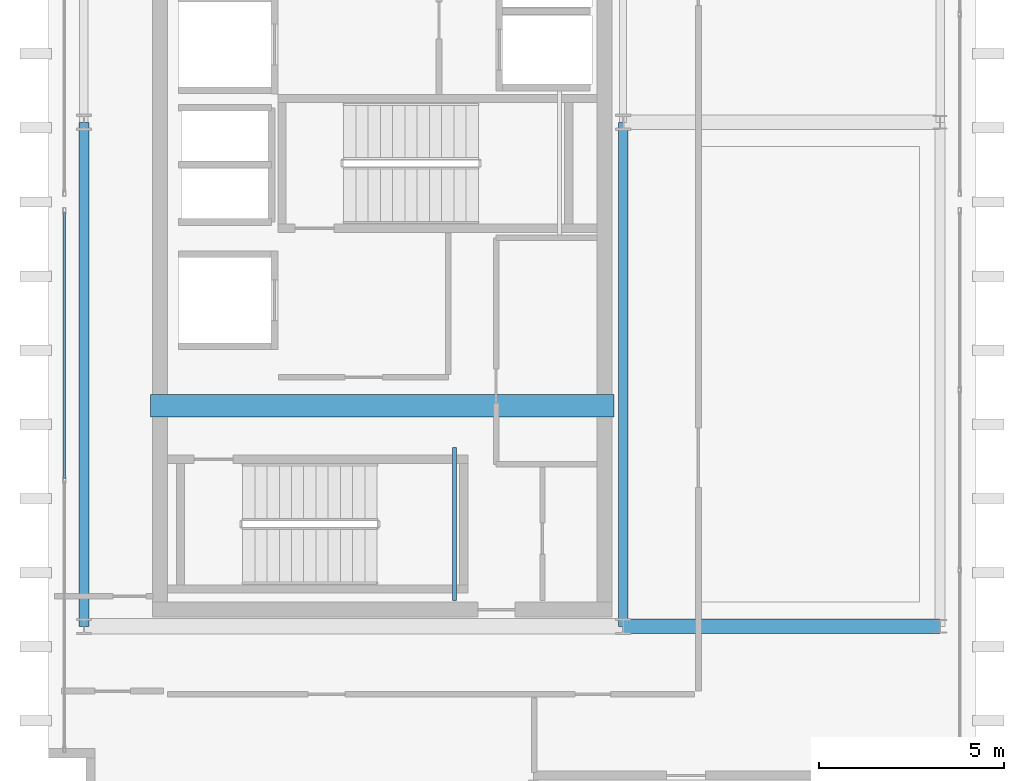
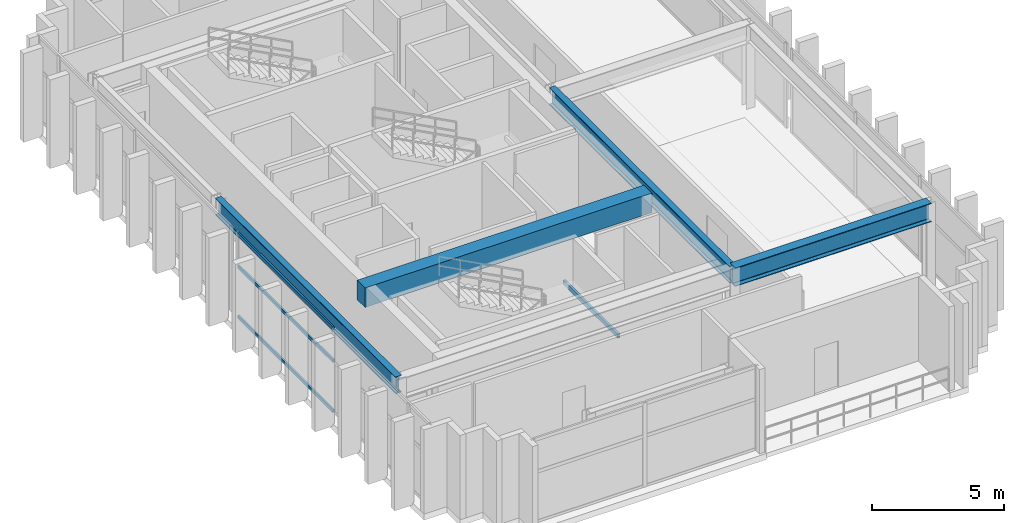
# One storey, part 3 of 15: 5 beams, 3 members, 1 element without a shape of its own.
"""IFC4 building model written with IfcOpenShell, lengths in metres."""

import ifcopenshell
import ifcopenshell.guid

model = None  # the IFC model being written
_history = None  # IfcOwnerHistory: only IFC2X3 demands one
_inside = {}  # id of a spatial element -> (the spatial element, [elements in it])
_under = {}  # id of a project, library or spatial element -> (it, [spatial elements below it])
_declared = {}  # id of a project -> (the project, [libraries it declares])
_typed = {}  # id of a type object -> (the type object, [elements of that type])
_made_of = {}  # id of a material, layer set ... -> (it, [elements and type objects made of it])


def new_model(schema):
    """Start an empty IFC model of exactly this schema.

    Asked for "IFC4X3", IfcOpenShell would pick the latest addendum, in which some entities
    have other attributes; the version numbers below select the first issue.
    IFC2X3 requires an IfcOwnerHistory on every rooted entity: one is made here for all.
    """
    global model, _history
    if schema == "IFC4X3":
        model = ifcopenshell.file(schema_version=(4, 3, 0, 0))
    else:
        model = ifcopenshell.file(schema=schema)
    _inside.clear()
    _under.clear()
    _declared.clear()
    _typed.clear()
    _made_of.clear()
    _history = None
    if model.schema == "IFC2X3":
        org = make("IfcOrganization", Name="unknown")
        user = make(
            "IfcPersonAndOrganization",
            ThePerson=make("IfcPerson", FamilyName="unknown"),
            TheOrganization=org,
        )
        app = make(
            "IfcApplication",
            ApplicationDeveloper=org,
            Version="unknown",
            ApplicationFullName="unknown",
            ApplicationIdentifier="unknown",
        )
        _history = make(
            "IfcOwnerHistory",
            OwningUser=user,
            OwningApplication=app,
            ChangeAction="ADDED",
            CreationDate=0,
        )
    return model


def make(cls, **values):
    """One entity of the class cls with the attributes given. An attribute that is None is left unset."""
    return model.create_entity(
        cls, **{name: value for name, value in values.items() if value is not None}
    )


def rooted(cls, **values):
    """An entity with a GlobalId (a new one), such as an element, a storey or a relation."""
    return make(cls, GlobalId=ifcopenshell.guid.new(), OwnerHistory=_history, **values)


def si_unit(unit_type, name, prefix=None):
    """IfcSIUnit, for example si_unit("LENGTHUNIT", "METRE", prefix="MILLI")."""
    return make("IfcSIUnit", UnitType=unit_type, Prefix=prefix, Name=name)


def assignment(units):
    """IfcUnitAssignment: the units of a project."""
    return None if units is None else make("IfcUnitAssignment", Units=units)


def point(xyz):
    """IfcCartesianPoint."""
    return None if xyz is None else make("IfcCartesianPoint", Coordinates=xyz)


def direction(xyz):
    """IfcDirection."""
    return None if xyz is None else make("IfcDirection", DirectionRatios=xyz)


def frame(location, z_axis=None, x_axis=None):
    """IfcAxis2Placement3D, a coordinate frame: its origin and axes. An axis left out is left unset."""
    return make(
        "IfcAxis2Placement3D",
        Location=point(location),
        Axis=direction(z_axis),
        RefDirection=direction(x_axis),
    )


def frame_2d(location, x_axis=None):
    """IfcAxis2Placement2D, a coordinate frame in the plane: its origin and x axis."""
    return make(
        "IfcAxis2Placement2D", Location=point(location), RefDirection=direction(x_axis)
    )


def origin():
    """The frame at (0, 0, 0) with its axes left unset."""
    return frame((0.0, 0.0, 0.0))


def origin_2d():
    """The frame at (0, 0) in the plane with its x axis left unset."""
    return frame_2d((0.0, 0.0))


def place(relative_to, where):
    """IfcLocalPlacement: puts the frame where relative to a parent placement (None: the world)."""
    return make(
        "IfcLocalPlacement", PlacementRelTo=relative_to, RelativePlacement=where
    )


def context(
    kind, dimensions, precision=None, world=None, true_north=None, identifier=None
):
    """IfcGeometricRepresentationContext, for example the 3D "Model" context."""
    return make(
        "IfcGeometricRepresentationContext",
        ContextIdentifier=identifier,
        ContextType=kind,
        CoordinateSpaceDimension=dimensions,
        Precision=precision,
        WorldCoordinateSystem=world,
        TrueNorth=true_north,
    )


def subcontext(parent, identifier, kind, view, scale=None):
    """IfcGeometricRepresentationSubContext, for example "Body" below "Model"."""
    return make(
        "IfcGeometricRepresentationSubContext",
        ContextIdentifier=identifier,
        ContextType=kind,
        ParentContext=parent,
        TargetScale=scale,
        TargetView=view,
    )


def project(units=None, contexts=None):
    """IfcProject with its units and contexts."""
    return rooted(
        "IfcProject",
        Name="project",
        RepresentationContexts=contexts,
        UnitsInContext=assignment(units),
    )


def spatial(cls, under=None, at=None, **own):
    """A site, building, storey or space (cls), placed at a placement, below another one or the project."""
    s = rooted(cls, ObjectPlacement=at, **own)
    if under is not None:
        _under.setdefault(under.id(), (under, []))[1].append(s)
    return s


def profile(cls, at=None, kind="AREA", **sizes):
    """A parametric profile (cls). Its sizes go by their IFC names, for example OverallWidth=200.0."""
    return make(cls, ProfileType=kind, Position=at, **sizes)


def rectangle(**sizes):
    """IfcRectangleProfileDef."""
    return profile("IfcRectangleProfileDef", **sizes)


def hollow_rectangle(**sizes):
    """IfcRectangleHollowProfileDef."""
    return profile("IfcRectangleHollowProfileDef", **sizes)


def i_section(**sizes):
    """IfcIShapeProfileDef."""
    return profile("IfcIShapeProfileDef", **sizes)


def extrude(swept, where, along, depth):
    """IfcExtrudedAreaSolid: the profile swept, set in the frame where, extruded along a direction by depth."""
    return make(
        "IfcExtrudedAreaSolid",
        SweptArea=swept,
        Position=where,
        ExtrudedDirection=direction(along),
        Depth=depth,
    )


def shape(context_of_items, identifier, shape_type, items):
    """IfcShapeRepresentation: the items that make up one representation, for example the "Body"."""
    return make(
        "IfcShapeRepresentation",
        ContextOfItems=context_of_items,
        RepresentationIdentifier=identifier,
        RepresentationType=shape_type,
        Items=items,
    )


def source(mapping_origin, context_of_items, identifier, shape_type, items):
    """IfcRepresentationMap: a shape defined once, which mapped items show again and again."""
    return make(
        "IfcRepresentationMap",
        MappingOrigin=mapping_origin,
        MappedRepresentation=shape(context_of_items, identifier, shape_type, items),
    )


def transform(
    local_origin,
    x_axis=None,
    y_axis=None,
    z_axis=None,
    scale=None,
    scale2=None,
    scale3=None,
    uniform=True,
):
    """IfcCartesianTransformationOperator3D, or its non-uniform kind. x_axis, y_axis, z_axis: its Axis1, 2, 3."""
    if uniform:
        return make(
            "IfcCartesianTransformationOperator3D",
            Axis1=direction(x_axis),
            Axis2=direction(y_axis),
            LocalOrigin=point(local_origin),
            Scale=scale,
            Axis3=direction(z_axis),
        )
    return make(
        "IfcCartesianTransformationOperator3DnonUniform",
        Axis1=direction(x_axis),
        Axis2=direction(y_axis),
        LocalOrigin=point(local_origin),
        Scale=scale,
        Axis3=direction(z_axis),
        Scale2=scale2,
        Scale3=scale3,
    )


def mapped(mapping_source, mapping_target):
    """IfcMappedItem: shows the shape of a source again, moved by a transform."""
    return make(
        "IfcMappedItem", MappingSource=mapping_source, MappingTarget=mapping_target
    )


def material(Name=None, Category=None):
    """IfcMaterial."""
    return make("IfcMaterial", Name=Name, Category=Category)


def layer(
    of_material, thickness, ventilated=None, Name=None, Category=None, Priority=None
):
    """IfcMaterialLayer: one layer of a wall or slab, of a material (None: an air gap)."""
    return make(
        "IfcMaterialLayer",
        Material=of_material,
        LayerThickness=thickness,
        IsVentilated=ventilated,
        Name=Name,
        Category=Category,
        Priority=Priority,
    )


def layer_set(layers, Name=None):
    """IfcMaterialLayerSet."""
    return make("IfcMaterialLayerSet", MaterialLayers=layers, LayerSetName=Name)


def material_profile(
    of_material, cross_section, Name=None, Category=None, Priority=None
):
    """IfcMaterialProfile: a cross section and its material."""
    return make(
        "IfcMaterialProfile",
        Name=Name,
        Material=of_material,
        Profile=cross_section,
        Priority=Priority,
        Category=Category,
    )


def profile_set(profiles, Name=None, composite=None):
    """IfcMaterialProfileSet."""
    return make(
        "IfcMaterialProfileSet",
        Name=Name,
        MaterialProfiles=profiles,
        CompositeProfile=composite,
    )


def made_of(thing, what):
    """Note that an element or type object is made of a material, layer set ...; save() writes the relation."""
    if what is not None:
        _made_of.setdefault(what.id(), (what, []))[1].append(thing)
    return thing


def type_object(cls, material=None, **own):
    """A type object (cls), such as IfcWallType, which elements share."""
    return made_of(rooted(cls, **own), material)


def element(
    cls,
    number,
    at=None,
    inside=None,
    cuts=None,
    type_object=None,
    material=None,
    context=None,
    identifier="Body",
    shape_type=None,
    held_by="IfcProductDefinitionShape",
    body=None,
    shapes=None,
    **own,
):
    """One element of the class cls, such as IfcWall. Its Tag is "e" and its number.

    at: its placement. inside: the storey or other place that contains it. cuts: it is an
    opening in that element (IfcRelVoidsElement). A single representation is given by context,
    identifier, shape_type and body (its items); several are given by shapes. held_by: the class
    of the entity that holds the representations. save() writes the other relations.
    """
    e = rooted(cls, Tag="e%d" % number, ObjectPlacement=at, **own)
    if body is not None:
        shapes = [shape(context, identifier, shape_type, body)]
    if shapes is not None:
        e.Representation = make(held_by, Representations=shapes)
    if inside is not None:
        _inside.setdefault(inside.id(), (inside, []))[1].append(e)
    if cuts is not None:
        rooted(
            "IfcRelVoidsElement", RelatingBuildingElement=cuts, RelatedOpeningElement=e
        )
    if type_object is not None:
        _typed.setdefault(type_object.id(), (type_object, []))[1].append(e)
    return made_of(e, material)


def aggregate(whole, parts):
    """IfcRelAggregates: a whole, such as a stair, and the parts it consists of."""
    return rooted("IfcRelAggregates", RelatingObject=whole, RelatedObjects=parts)


def save(model, path):
    """Write the relations noted so far, then the file.

    IfcRelAggregates (storeys below a building ...), IfcRelContainedInSpatialStructure (elements
    in a storey), IfcRelDefinesByType, IfcRelAssociatesMaterial and IfcRelDeclares: one each for
    every whole, place, type object, material and project.
    """
    for whole, parts in _under.values():
        aggregate(whole, parts)
    for where, things in _inside.values():
        rooted(
            "IfcRelContainedInSpatialStructure",
            RelatedElements=things,
            RelatingStructure=where,
        )
    for kind, things in _typed.values():
        rooted("IfcRelDefinesByType", RelatedObjects=things, RelatingType=kind)
    for what, things in _made_of.values():
        rooted("IfcRelAssociatesMaterial", RelatedObjects=things, RelatingMaterial=what)
    for by, libraries in _declared.values():
        rooted("IfcRelDeclares", RelatingContext=by, RelatedDefinitions=libraries)
    model.write(path)


model = new_model("IFC4")

# Units and contexts
model_context = context("Model", 3, precision=1e-05, world=origin(), true_north=direction((0.0, 1.0)))
body_context = subcontext(model_context, "Body", "Model", "MODEL_VIEW")
ifc_project = project(units=[si_unit("LENGTHUNIT", "METRE"), si_unit("AREAUNIT", "SQUARE_METRE"), si_unit("VOLUMEUNIT", "CUBIC_METRE"), si_unit("PLANEANGLEUNIT", "RADIAN"), si_unit("MASSUNIT", "GRAM", prefix="KILO")], contexts=[model_context])

# Site, building, storey
site_placement = place(None, origin())
site = spatial("IfcSite", under=ifc_project, at=site_placement, CompositionType="ELEMENT")
building_placement = place(site_placement, origin())
building = spatial("IfcBuilding", under=site, at=building_placement, Name="Ocotamira Hotel", CompositionType="ELEMENT")
storey_placement = place(building_placement, frame((0.0, 0.0, 305.39990234375)))
storey = spatial("IfcBuildingStorey", under=building, at=storey_placement, Name="L78", CompositionType="ELEMENT", Elevation=305.39990234375)

# Beams
ifc_material_1 = material(Name="Concrete C50/60", Category="concrete")
ifc_material_profile_1 = material_profile(ifc_material_1, rectangle(XDim=0.60009765625, YDim=0.89990234375, at=origin_2d()), Name="RC600X900")
ifc_profile_set_1 = profile_set([ifc_material_profile_1], Name="Concrete C50/60")
beam_type_1 = type_object("IfcBeamType", Name="BM-LINK-RC600", PredefinedType="LINTEL", material=ifc_profile_set_1)
shared_shape_1 = source(origin(), body_context, "Body", "SweptSolid", [
    extrude(rectangle(XDim=0.60009765625, YDim=0.89990234375, at=origin_2d()), origin(), (0.0, 0.0, 1.0), 12.5),
])
beam_1_placement = place(storey_placement, frame((10.75, 20.5, 3.43017578125), z_axis=(1.0, 0.0, 0.0), x_axis=(0.0, 1.0, 0.0)))
element("IfcBeam", 1, at=beam_1_placement, inside=storey, type_object=beam_type_1, Name="L78 West Core Coupling Beam", PredefinedType="LINTEL", context=body_context, shape_type="MappedRepresentation", body=[
    mapped(shared_shape_1, transform((0.0, 0.0, 0.0), scale=1.0)),
])
ifc_material_2 = material(Name="Steel ASTM A500 Grade C", Category="steel")
ifc_material_profile_2 = material_profile(ifc_material_2, hollow_rectangle(XDim=0.10009765625, YDim=0.199951171875, WallThickness=0.008056640625, at=origin_2d()), Name="HSS200X100X8")
ifc_profile_set_2 = profile_set([ifc_material_profile_2], Name="Steel ASTM A500 Grade C")
beam_type_2 = type_object("IfcBeamType", Name="BM-STLDG-HSS200", PredefinedType="BEAM", material=ifc_profile_set_2)
shared_shape_2 = source(origin(), body_context, "Body", "SweptSolid", [
    extrude(hollow_rectangle(XDim=0.10009765625, YDim=0.199951171875, WallThickness=0.008056640625, at=origin_2d()), origin(), (0.0, 0.0, 1.0), 4.1201171875),
])
beam_2_placement = place(storey_placement, frame((18.949951171875, 15.25, 1.800048828125), z_axis=(0.0, 1.0, 0.0), x_axis=(-1.0, 0.0, 0.0)))
element("IfcBeam", 2, at=beam_2_placement, inside=storey, type_object=beam_type_2, Name="L78 Stair ST-1 Landing Bearer 1", PredefinedType="BEAM", context=body_context, shape_type="MappedRepresentation", body=[
    mapped(shared_shape_2, transform((0.0, 0.0, 0.0), scale=1.0)),
])
ifc_material_3 = material(Name="Steel ASTM A992 Grade 50", Category="steel")
ifc_material_profile_3 = material_profile(ifc_material_3, i_section(OverallWidth=0.26611328125, OverallDepth=0.779052734375, WebThickness=0.0166015625, FlangeThickness=0.030029296875, FilletRadius=0.01806640625, at=origin_2d()), Name="W30X148")
ifc_profile_set_3 = profile_set([ifc_material_profile_3], Name="Steel ASTM A992 Grade 50")
beam_type_3 = type_object("IfcBeamType", Name="BM-GIRD-W30X148", PredefinedType="BEAM", material=ifc_profile_set_3)
shared_shape_3 = source(origin(), body_context, "Body", "SweptSolid", [
    extrude(i_section(OverallWidth=0.26611328125, OverallDepth=0.779052734375, WebThickness=0.0166015625, FlangeThickness=0.030029296875, FilletRadius=0.01806640625, at=origin_2d()), origin(), (0.0, 0.0, 1.0), 13.599853515625),
])
for number, where, z_axis, x_axis, name in (
    (3, (8.949951171875, 14.550048828125, 3.490478515625), (0.0, 1.0, 0.0), (-1.0, 0.0, 0.0), "L78 Beam X8.95 Y14.55-28.15"),
    (4, (23.5, 14.550048828125, 3.490478515625), (0.0, 1.0, 0.0), (-1.0, 0.0, 0.0), "L78 Beam X23.5 Y14.55-28.15"),
):
    element("IfcBeam", number, at=place(storey_placement, frame(where, z_axis=z_axis, x_axis=x_axis)), inside=storey, type_object=beam_type_3, Name=name, PredefinedType="BEAM", context=body_context, shape_type="MappedRepresentation", body=[
        mapped(shared_shape_3, transform((0.0, 0.0, 0.0), scale=1.0)),
    ])
ifc_material_profile_4 = material_profile(ifc_material_3, i_section(OverallWidth=0.39990234375, OverallDepth=0.85595703125, WebThickness=0.018310546875, FlangeThickness=0.029296875, FilletRadius=0.02001953125, at=origin_2d()), Name="W33X201")
ifc_profile_set_4 = profile_set([ifc_material_profile_4], Name="Steel ASTM A992 Grade 50")
beam_type_4 = type_object("IfcBeamType", Name="BM-GIRD-W33X201", PredefinedType="BEAM", material=ifc_profile_set_4)
shared_shape_4 = source(origin(), body_context, "Body", "SweptSolid", [
    extrude(i_section(OverallWidth=0.39990234375, OverallDepth=0.85595703125, WebThickness=0.018310546875, FlangeThickness=0.029296875, FilletRadius=0.02001953125, at=origin_2d()), origin(), (0.0, 0.0, 1.0), 8.550048828125),
])
beam_3_placement = place(storey_placement, frame((23.5, 14.550048828125, 3.4521484375), z_axis=(1.0, 0.0, 0.0), x_axis=(0.0, 1.0, 0.0)))
element("IfcBeam", 5, at=beam_3_placement, inside=storey, type_object=beam_type_4, Name="L78 Girder Y14.55 X23.5-32.05", PredefinedType="BEAM", context=body_context, shape_type="MappedRepresentation", body=[
    mapped(shared_shape_4, transform((0.0, 0.0, 0.0), scale=1.0)),
])

# Curtain wall, members
ifc_material_4 = material(Name="Anodised pale-metal aluminium and solar glass", Category="aluminium")
ifc_layer = layer(ifc_material_4, 0.2099609375)
ifc_layer_set = layer_set([ifc_layer], Name="Anodised pale-metal aluminium and solar glass")
curtain_wall_type = type_object("IfcCurtainWallType", Name="CW-SYS7-PEAK", PredefinedType="NOTDEFINED", material=ifc_layer_set)
curtain_wall_placement = place(storey_placement, origin())
curtain_wall = element("IfcCurtainWall", 6, at=curtain_wall_placement, inside=storey, type_object=curtain_wall_type, Name="L78 Curtain Wall CW-7 CW-L78-W1", PredefinedType="NOTDEFINED")
ifc_material_5 = material(Name="Anodised pale-metal aluminium 6063-T6", Category="aluminium")
ifc_material_profile_5 = material_profile(ifc_material_5, hollow_rectangle(XDim=0.074951171875, YDim=0.14990234375, WallThickness=0.006103515625, at=origin_2d()), Name="HSS150X75X6")
ifc_profile_set_5 = profile_set([ifc_material_profile_5], Name="Anodised pale-metal aluminium 6063-T6")
member_type = type_object("IfcMemberType", Name="CWT-150X75", PredefinedType="USERDEFINED", material=ifc_profile_set_5)
shared_shape_5 = source(origin(), body_context, "Body", "SweptSolid", [
    extrude(hollow_rectangle(XDim=0.074951171875, YDim=0.14990234375, WallThickness=0.006103515625, at=origin_2d()), origin(), (0.0, 0.0, 1.0), 7.179931640625),
])
member_1_placement = place(storey_placement, frame((8.419921875, 18.5400390625, 0.03759765625), z_axis=(0.0, 1.0, 0.0), x_axis=(-1.0, 0.0, 0.0)))
member_1 = element("IfcMember", 7, at=member_1_placement, type_object=member_type, Name="CW-7 transom 2.1", ObjectType="TRANSOM", PredefinedType="USERDEFINED", context=body_context, shape_type="MappedRepresentation", body=[
    mapped(shared_shape_5, transform((0.0, 0.0, 0.0), scale=1.0)),
])
member_2_placement = place(storey_placement, frame((8.419921875, 18.5400390625, 2.35009765625), z_axis=(0.0, 1.0, 0.0), x_axis=(-1.0, 0.0, 0.0)))
member_2 = element("IfcMember", 8, at=member_2_placement, type_object=member_type, Name="CW-7 transom 2.2", ObjectType="TRANSOM", PredefinedType="USERDEFINED", context=body_context, shape_type="MappedRepresentation", body=[
    mapped(shared_shape_5, transform((0.0, 0.0, 0.0), scale=1.0)),
])
member_3_placement = place(storey_placement, frame((8.419921875, 18.5400390625, 3.842529296875), z_axis=(0.0, 1.0, 0.0), x_axis=(-1.0, 0.0, 0.0)))
member_3 = element("IfcMember", 9, at=member_3_placement, type_object=member_type, Name="CW-7 transom 2.3", ObjectType="TRANSOM", PredefinedType="USERDEFINED", context=body_context, shape_type="MappedRepresentation", body=[
    mapped(shared_shape_5, transform((0.0, 0.0, 0.0), scale=1.0)),
])
aggregate(curtain_wall, [member_1, member_2, member_3])

save(model, "model.ifc")
